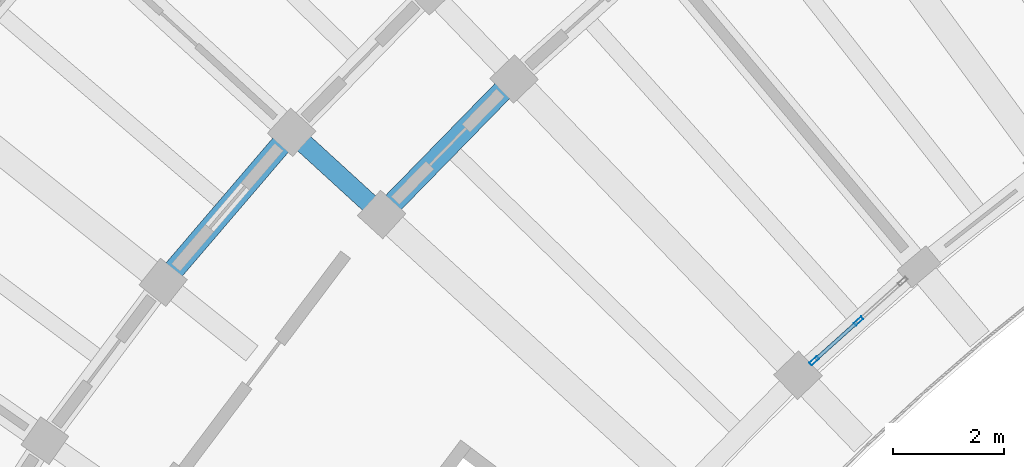
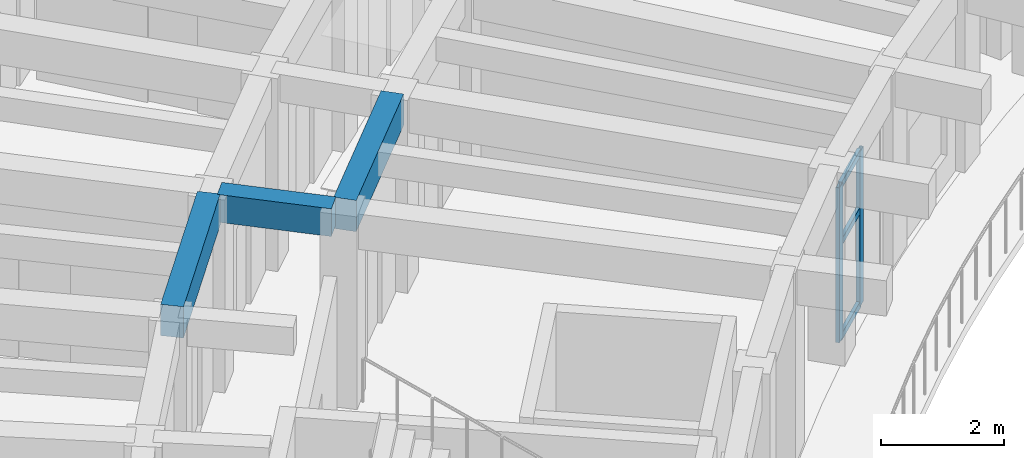
# One storey, part 38 of 128: 5 members, 3 beams, 1 element without a shape of its own.
"""IFC4 building model written with IfcOpenShell, lengths in metres."""

from ifc_helpers import new_model, si_unit, direction, frame, origin, origin_2d, place, context, subcontext, project, spatial, rectangle, hollow_rectangle, extrude, material, material_profile, profile_set, type_object, element, aggregate, save


model = new_model("IFC4")

# Units and contexts
model_context = context("Model", 3, precision=1e-05, world=origin(), true_north=direction((0.0, 1.0)))
body_context = subcontext(model_context, "Body", "Model", "MODEL_VIEW")
ifc_project = project(units=[si_unit("LENGTHUNIT", "METRE"), si_unit("AREAUNIT", "SQUARE_METRE"), si_unit("VOLUMEUNIT", "CUBIC_METRE"), si_unit("PLANEANGLEUNIT", "RADIAN"), si_unit("MASSUNIT", "GRAM", prefix="KILO")], contexts=[model_context])

# Site, building, storey
site_placement = place(None, origin())
site = spatial("IfcSite", under=ifc_project, at=site_placement, CompositionType="ELEMENT")
building_placement = place(site_placement, origin())
building = spatial("IfcBuilding", under=site, at=building_placement, Name="Tanwirah Colonnade Gardens", CompositionType="ELEMENT")
storey_placement = place(building_placement, frame((0.0, 0.0, 4.760009765625)))
storey = spatial("IfcBuildingStorey", under=building, at=storey_placement, Name="L01", CompositionType="ELEMENT", Elevation=4.760009765625)

# Beams
ifc_material_1 = material(Name="Precast concrete C40/50", Category="concrete")
ifc_material_profile_1 = material_profile(ifc_material_1, rectangle(XDim=0.35009765625, YDim=0.550048828125, at=origin_2d()), Name="PC-BM 350x550")
ifc_profile_set_1 = profile_set([ifc_material_profile_1], Name="Precast concrete C40/50")
beam_type_1 = type_object("IfcBeamType", Name="BM-PC350A", PredefinedType="BEAM", material=ifc_profile_set_1)
beam_1_placement = place(storey_placement, frame((26.62744140625, 95.29345703125, 3.550048828125), z_axis=(-0.737948361517, 0.674857181732, 0.0), x_axis=(-0.674857181732, -0.737948361517, 0.0)))
element("IfcBeam", 1, at=beam_1_placement, inside=storey, type_object=beam_type_1, Name="Block A L01 Corridor Tie Beam 11", PredefinedType="BEAM", context=body_context, shape_type="SweptSolid", body=[
    extrude(rectangle(XDim=0.35009765625, YDim=0.550048828125, at=origin_2d()), origin(), (0.0, 0.0, 1.0), 1.89990234375),
])
ifc_material_profile_2 = material_profile(ifc_material_1, rectangle(XDim=0.3798828125, YDim=0.6201171875, at=origin_2d()), Name="PC-BM 380x620")
ifc_profile_set_2 = profile_set([ifc_material_profile_2], Name="Precast concrete C40/50")
beam_type_2 = type_object("IfcBeamType", Name="BM-PC380", PredefinedType="BEAM", material=ifc_profile_set_2)
beam_2_placement = place(storey_placement, frame((29.02197265625, 97.52978515625, 3.514892578125), z_axis=(-0.698837366631, -0.715280598787, 0.0), x_axis=(0.715280598787, -0.698837366631, 0.0)))
element("IfcBeam", 2, at=beam_2_placement, inside=storey, type_object=beam_type_2, Name="Block A L01 Circumferential Beam 10-R1", PredefinedType="BEAM", context=body_context, shape_type="SweptSolid", body=[
    extrude(rectangle(XDim=0.3798828125, YDim=0.6201171875, at=origin_2d()), origin(), (0.0, 0.0, 1.0), 3.117919921875),
])
beam_3_placement = place(storey_placement, frame((25.017333984375, 96.56298828125, 3.514892578125), z_axis=(-0.650218192342, -0.759747525398, 0.0), x_axis=(0.759747525398, -0.650218192342, 0.0)))
element("IfcBeam", 3, at=beam_3_placement, inside=storey, type_object=beam_type_2, Name="Block A L01 Circumferential Beam 11-R2", PredefinedType="BEAM", context=body_context, shape_type="SweptSolid", body=[
    extrude(rectangle(XDim=0.3798828125, YDim=0.6201171875, at=origin_2d()), origin(), (0.0, 0.0, 1.0), 3.26318359375),
])

# Curtain wall, members
ifc_material_2 = material(Name="Bronze-anodised aluminium and solar-control low-E glass", Category="aluminium")
curtain_wall_type = type_object("IfcCurtainWallType", Name="CW-GDN", PredefinedType="NOTDEFINED", material=ifc_material_2)
curtain_wall_placement = place(storey_placement, origin())
curtain_wall = element("IfcCurtainWall", 4, at=curtain_wall_placement, inside=storey, type_object=curtain_wall_type, Name="Curtain Wall CW-A-L01-IN-09", PredefinedType="NOTDEFINED")
ifc_material_3 = material(Name="Bronze-anodised aluminium", Category="aluminium")
ifc_material_profile_3 = material_profile(ifc_material_3, hollow_rectangle(XDim=0.06494140625, YDim=0.179931640625, WallThickness=0.00390625, at=origin_2d()), Name="CW-MUL 65x180x4")
ifc_profile_set_3 = profile_set([ifc_material_profile_3], Name="Bronze-anodised aluminium")
member_type_1 = type_object("IfcMemberType", Name="CWM-65x180", PredefinedType="MULLION", material=ifc_profile_set_3)
member_1_placement = place(storey_placement, frame((35.33740234375, 93.2724609375, 0.0), z_axis=(0.0, 0.0, 1.0), x_axis=(0.667689182798, -0.744440162253, 0.0)))
member_1 = element("IfcMember", 5, at=member_1_placement, type_object=member_type_1, Name="CW-GDN mullion 2", PredefinedType="MULLION", context=body_context, shape_type="SweptSolid", body=[
    extrude(hollow_rectangle(XDim=0.06494140625, YDim=0.179931640625, WallThickness=0.00390625, at=origin_2d()), origin(), (0.0, 0.0, 1.0), 3.074951171875),
])
member_2_placement = place(storey_placement, frame((34.538818359375, 92.55615234375, 0.0), z_axis=(0.0, 0.0, 1.0), x_axis=(0.667689182798, -0.744440162253, 0.0)))
member_2 = element("IfcMember", 6, at=member_2_placement, type_object=member_type_1, Name="CW-GDN mullion 3", PredefinedType="MULLION", context=body_context, shape_type="SweptSolid", body=[
    extrude(hollow_rectangle(XDim=0.06494140625, YDim=0.179931640625, WallThickness=0.00390625, at=origin_2d()), origin(), (0.0, 0.0, 1.0), 3.074951171875),
])
ifc_material_profile_4 = material_profile(ifc_material_3, hollow_rectangle(XDim=0.06494140625, YDim=0.135009765625, WallThickness=0.00390625, at=origin_2d()), Name="CW-TRN 65x135x4")
ifc_profile_set_4 = profile_set([ifc_material_profile_4], Name="Bronze-anodised aluminium")
member_type_2 = type_object("IfcMemberType", Name="CWT-65x135", PredefinedType="USERDEFINED", material=ifc_profile_set_4)
member_3_placement = place(storey_placement, frame((35.313232421875, 93.250732421875, 0.032470703125), z_axis=(-0.744461476402, -0.667665417821, 0.0), x_axis=(0.667665417821, -0.744461476402, 0.0)))
member_3 = element("IfcMember", 7, at=member_3_placement, type_object=member_type_2, Name="CW-GDN transom 2.1", ObjectType="TRANSOM", PredefinedType="USERDEFINED", context=body_context, shape_type="SweptSolid", body=[
    extrude(hollow_rectangle(XDim=0.06494140625, YDim=0.135009765625, WallThickness=0.00390625, at=origin_2d()), origin(), (0.0, 0.0, 1.0), 1.0078125),
])
member_4_placement = place(storey_placement, frame((35.313232421875, 93.250732421875, 1.906494140625), z_axis=(-0.744461476402, -0.667665417821, 0.0), x_axis=(0.667665417821, -0.744461476402, 0.0)))
member_4 = element("IfcMember", 8, at=member_4_placement, type_object=member_type_2, Name="CW-GDN transom 2.2", ObjectType="TRANSOM", PredefinedType="USERDEFINED", context=body_context, shape_type="SweptSolid", body=[
    extrude(hollow_rectangle(XDim=0.06494140625, YDim=0.135009765625, WallThickness=0.00390625, at=origin_2d()), origin(), (0.0, 0.0, 1.0), 1.0078125),
])
member_5_placement = place(storey_placement, frame((35.313232421875, 93.250732421875, 3.04248046875), z_axis=(-0.744461476402, -0.667665417821, 0.0), x_axis=(0.667665417821, -0.744461476402, 0.0)))
member_5 = element("IfcMember", 9, at=member_5_placement, type_object=member_type_2, Name="CW-GDN transom 2.3", ObjectType="TRANSOM", PredefinedType="USERDEFINED", context=body_context, shape_type="SweptSolid", body=[
    extrude(hollow_rectangle(XDim=0.06494140625, YDim=0.135009765625, WallThickness=0.00390625, at=origin_2d()), origin(), (0.0, 0.0, 1.0), 1.0078125),
])
aggregate(curtain_wall, [member_1, member_2, member_3, member_4, member_5])

save(model, "model.ifc")
